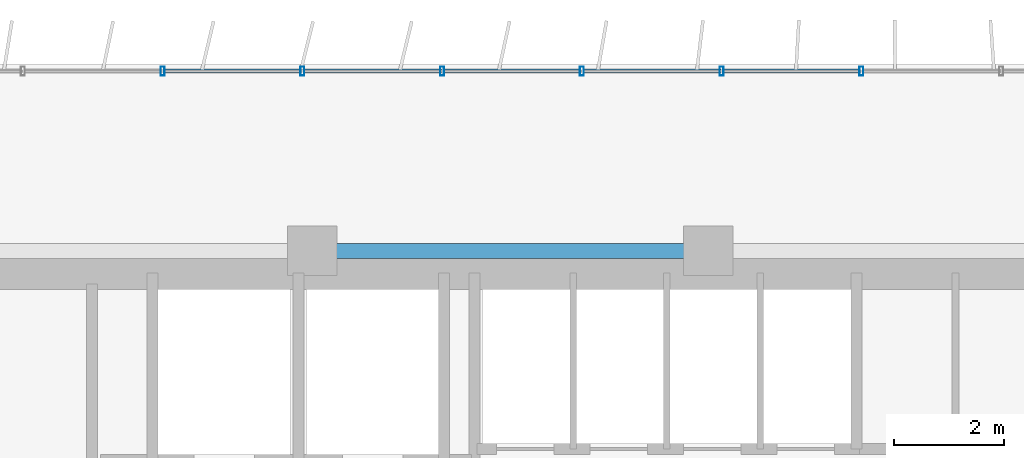
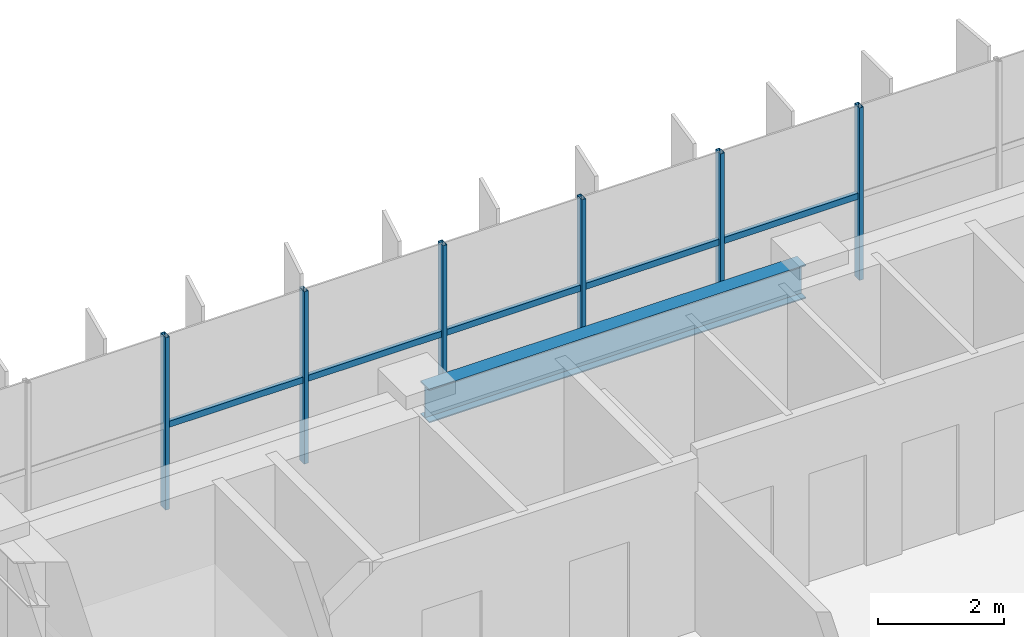
# One storey, part 7 of 24: 11 members, 1 beam, 1 element without a shape of its own.
"""IFC4 building model written with IfcOpenShell, lengths in metres."""

from ifc_helpers import new_model, si_unit, direction, frame, origin, origin_2d, place, context, subcontext, project, spatial, hollow_rectangle, i_section, extrude, source, transform, mapped, material, material_profile, profile_set, type_object, element, aggregate, save


model = new_model("IFC4")

# Units and contexts
model_context = context("Model", 3, precision=1e-05, world=origin(), true_north=direction((0.0, 1.0)))
body_context = subcontext(model_context, "Body", "Model", "MODEL_VIEW")
ifc_project = project(units=[si_unit("LENGTHUNIT", "METRE"), si_unit("AREAUNIT", "SQUARE_METRE"), si_unit("VOLUMEUNIT", "CUBIC_METRE"), si_unit("PLANEANGLEUNIT", "RADIAN"), si_unit("MASSUNIT", "GRAM", prefix="KILO")], contexts=[model_context])

# Site, building, storey
site_placement = place(None, origin())
site = spatial("IfcSite", under=ifc_project, at=site_placement, CompositionType="ELEMENT")
building_placement = place(site_placement, origin())
building = spatial("IfcBuilding", under=site, at=building_placement, Name="Trelvane Seafront Commons", CompositionType="ELEMENT")
storey_placement = place(building_placement, frame((0.0, 0.0, 30.699951171875)))
storey = spatial("IfcBuildingStorey", under=building, at=storey_placement, Name="L07", CompositionType="ELEMENT", Elevation=30.699951171875)

# Beam
ifc_material_1 = material(Name="Steel SM355 (S355)", Category="steel")
ifc_material_profile_1 = material_profile(ifc_material_1, i_section(OverallWidth=0.280029296875, OverallDepth=0.64990234375, WebThickness=0.012939453125, FlangeThickness=0.02197265625, at=origin_2d()), Name="H-650x280x13x22")
ifc_profile_set_1 = profile_set([ifc_material_profile_1], Name="Steel SM355 (S355)")
beam_type = type_object("IfcBeamType", Name="STR-BM-H650", PredefinedType="BEAM", material=ifc_profile_set_1)
shared_shape_1 = source(origin(), body_context, "Body", "SweptSolid", [
    extrude(i_section(OverallWidth=0.280029296875, OverallDepth=0.64990234375, WebThickness=0.012939453125, FlangeThickness=0.02197265625, at=origin_2d()), origin(), (0.0, 0.0, 1.0), 6.89990234375),
])
beam_placement = place(storey_placement, frame((23.550048828125, 45.10009765625, 3.01513671875), z_axis=(1.0, 0.0, 0.0), x_axis=(0.0, 1.0, 0.0)))
element("IfcBeam", 1, at=beam_placement, inside=storey, type_object=beam_type, Name="L07 Primary Girder G-31", PredefinedType="BEAM", context=body_context, shape_type="MappedRepresentation", body=[
    mapped(shared_shape_1, transform((0.0, 0.0, 0.0), x_axis=(1.0, 0.0, 0.0), y_axis=(0.0, 1.0, 0.0), z_axis=(0.0, 0.0, 1.0), scale=1.0)),
])

# Curtain wall, members
ifc_material_2 = material(Name="Anodised pale-silver aluminium", Category="aluminium")
curtain_wall_type = type_object("IfcCurtainWallType", Name="ARCH-CW2-LOWTOWER", PredefinedType="NOTDEFINED", material=ifc_material_2)
curtain_wall_placement = place(storey_placement, origin())
curtain_wall = element("IfcCurtainWall", 2, at=curtain_wall_placement, inside=storey, type_object=curtain_wall_type, Name="CW-L07-0031", PredefinedType="NOTDEFINED")
ifc_material_profile_2 = material_profile(ifc_material_2, hollow_rectangle(XDim=0.074951171875, YDim=0.159912109375, WallThickness=0.00390625, at=origin_2d()), Name="MULL-75x160x4")
ifc_profile_set_2 = profile_set([ifc_material_profile_2], Name="Anodised pale-silver aluminium")
member_type_1 = type_object("IfcMemberType", Name="ARCH-CW-MULL-160", PredefinedType="MULLION", material=ifc_profile_set_2)
shared_shape_2 = source(origin(), body_context, "Body", "SweptSolid", [
    extrude(hollow_rectangle(XDim=0.074951171875, YDim=0.159912109375, WallThickness=0.00390625, at=origin_2d()), origin(), (0.0, 0.0, 1.0), 3.340087890625),
])
member_1_placement = place(storey_placement, frame((20.682373046875, 48.3701171875, 0.0), z_axis=(0.0, 0.0, 1.0), x_axis=(1.0, 0.0, 0.0)))
member_1 = element("IfcMember", 3, at=member_1_placement, type_object=member_type_1, Name="CW-L07-0031-M02", PredefinedType="MULLION", context=body_context, shape_type="MappedRepresentation", body=[
    mapped(shared_shape_2, transform((0.0, 0.0, 0.0), x_axis=(1.0, 0.0, 0.0), y_axis=(0.0, 1.0, 0.0), z_axis=(0.0, 0.0, 1.0), scale=1.0)),
])
member_2_placement = place(storey_placement, frame((23.223388671875, 48.3701171875, 0.0), z_axis=(0.0, 0.0, 1.0), x_axis=(1.0, 0.0, 0.0)))
member_2 = element("IfcMember", 4, at=member_2_placement, type_object=member_type_1, Name="CW-L07-0031-M03", PredefinedType="MULLION", context=body_context, shape_type="MappedRepresentation", body=[
    mapped(shared_shape_2, transform((0.0, 0.0, 0.0), x_axis=(1.0, 0.0, 0.0), y_axis=(0.0, 1.0, 0.0), z_axis=(0.0, 0.0, 1.0), scale=1.0)),
])
member_3_placement = place(storey_placement, frame((25.7646484375, 48.3701171875, 0.0), z_axis=(0.0, 0.0, 1.0), x_axis=(1.0, 0.0, 0.0)))
member_3 = element("IfcMember", 5, at=member_3_placement, type_object=member_type_1, Name="CW-L07-0031-M04", PredefinedType="MULLION", context=body_context, shape_type="MappedRepresentation", body=[
    mapped(shared_shape_2, transform((0.0, 0.0, 0.0), x_axis=(1.0, 0.0, 0.0), y_axis=(0.0, 1.0, 0.0), z_axis=(0.0, 0.0, 1.0), scale=1.0)),
])
member_4_placement = place(storey_placement, frame((28.305908203125, 48.3701171875, 0.0), z_axis=(0.0, 0.0, 1.0), x_axis=(1.0, 0.0, 0.0)))
member_4 = element("IfcMember", 6, at=member_4_placement, type_object=member_type_1, Name="CW-L07-0031-M05", PredefinedType="MULLION", context=body_context, shape_type="MappedRepresentation", body=[
    mapped(shared_shape_2, transform((0.0, 0.0, 0.0), x_axis=(1.0, 0.0, 0.0), y_axis=(0.0, 1.0, 0.0), z_axis=(0.0, 0.0, 1.0), scale=1.0)),
])
member_5_placement = place(storey_placement, frame((30.84716796875, 48.3701171875, 0.0), z_axis=(0.0, 0.0, 1.0), x_axis=(1.0, 0.0, 0.0)))
member_5 = element("IfcMember", 7, at=member_5_placement, type_object=member_type_1, Name="CW-L07-0031-M06", PredefinedType="MULLION", context=body_context, shape_type="MappedRepresentation", body=[
    mapped(shared_shape_2, transform((0.0, 0.0, 0.0), x_axis=(1.0, 0.0, 0.0), y_axis=(0.0, 1.0, 0.0), z_axis=(0.0, 0.0, 1.0), scale=1.0)),
])
member_6_placement = place(storey_placement, frame((33.38818359375, 48.3701171875, 0.0), z_axis=(0.0, 0.0, 1.0), x_axis=(1.0, 0.0, 0.0)))
member_6 = element("IfcMember", 8, at=member_6_placement, type_object=member_type_1, Name="CW-L07-0031-M07", PredefinedType="MULLION", context=body_context, shape_type="MappedRepresentation", body=[
    mapped(shared_shape_2, transform((0.0, 0.0, 0.0), x_axis=(1.0, 0.0, 0.0), y_axis=(0.0, 1.0, 0.0), z_axis=(0.0, 0.0, 1.0), scale=1.0)),
])
ifc_material_profile_3 = material_profile(ifc_material_2, hollow_rectangle(XDim=0.070068359375, YDim=0.1201171875, WallThickness=0.00390625, at=origin_2d()), Name="TRAN-70x120x4")
ifc_profile_set_3 = profile_set([ifc_material_profile_3], Name="Anodised pale-silver aluminium")
member_type_2 = type_object("IfcMemberType", Name="ARCH-CW-TRAN-120", PredefinedType="USERDEFINED", material=ifc_profile_set_3)
shared_shape_3 = source(origin(), body_context, "Body", "SweptSolid", [
    extrude(hollow_rectangle(XDim=0.070068359375, YDim=0.1201171875, WallThickness=0.00390625, at=origin_2d()), origin(), (0.0, 0.0, 1.0), 2.51708984375),
])
member_7_placement = place(storey_placement, frame((20.6943359375, 48.3701171875, 1.60302734375), z_axis=(1.0, 0.0, 0.0), x_axis=(0.0, 1.0, 0.0)))
member_7 = element("IfcMember", 9, at=member_7_placement, type_object=member_type_2, Name="CW-L07-0031-T02", ObjectType="TRANSOM", PredefinedType="USERDEFINED", context=body_context, shape_type="MappedRepresentation", body=[
    mapped(shared_shape_3, transform((0.0, 0.0, 0.0), x_axis=(1.0, 0.0, 0.0), y_axis=(0.0, 1.0, 0.0), z_axis=(0.0, 0.0, 1.0), scale=1.0)),
])
member_8_placement = place(storey_placement, frame((23.235595703125, 48.3701171875, 1.60302734375), z_axis=(1.0, 0.0, 0.0), x_axis=(0.0, 1.0, 0.0)))
member_8 = element("IfcMember", 10, at=member_8_placement, type_object=member_type_2, Name="CW-L07-0031-T03", ObjectType="TRANSOM", PredefinedType="USERDEFINED", context=body_context, shape_type="MappedRepresentation", body=[
    mapped(shared_shape_3, transform((0.0, 0.0, 0.0), x_axis=(1.0, 0.0, 0.0), y_axis=(0.0, 1.0, 0.0), z_axis=(0.0, 0.0, 1.0), scale=1.0)),
])
member_9_placement = place(storey_placement, frame((30.859130859375, 48.3701171875, 1.60302734375), z_axis=(1.0, 0.0, 0.0), x_axis=(0.0, 1.0, 0.0)))
member_9 = element("IfcMember", 11, at=member_9_placement, type_object=member_type_2, Name="CW-L07-0031-T06", ObjectType="TRANSOM", PredefinedType="USERDEFINED", context=body_context, shape_type="MappedRepresentation", body=[
    mapped(shared_shape_3, transform((0.0, 0.0, 0.0), x_axis=(1.0, 0.0, 0.0), y_axis=(0.0, 1.0, 0.0), z_axis=(0.0, 0.0, 1.0), scale=1.0)),
])
shared_shape_4 = source(origin(), body_context, "Body", "SweptSolid", [
    extrude(hollow_rectangle(XDim=0.070068359375, YDim=0.1201171875, WallThickness=0.00390625, at=origin_2d()), origin(), (0.0, 0.0, 1.0), 2.517333984375),
])
member_10_placement = place(storey_placement, frame((25.776611328125, 48.3701171875, 1.60302734375), z_axis=(1.0, 0.0, 0.0), x_axis=(0.0, 1.0, 0.0)))
member_10 = element("IfcMember", 12, at=member_10_placement, type_object=member_type_2, Name="CW-L07-0031-T04", ObjectType="TRANSOM", PredefinedType="USERDEFINED", context=body_context, shape_type="MappedRepresentation", body=[
    mapped(shared_shape_4, transform((0.0, 0.0, 0.0), x_axis=(1.0, 0.0, 0.0), y_axis=(0.0, 1.0, 0.0), z_axis=(0.0, 0.0, 1.0), scale=1.0)),
])
member_11_placement = place(storey_placement, frame((28.31787109375, 48.3701171875, 1.60302734375), z_axis=(1.0, 0.0, 0.0), x_axis=(0.0, 1.0, 0.0)))
member_11 = element("IfcMember", 13, at=member_11_placement, type_object=member_type_2, Name="CW-L07-0031-T05", ObjectType="TRANSOM", PredefinedType="USERDEFINED", context=body_context, shape_type="MappedRepresentation", body=[
    mapped(shared_shape_4, transform((0.0, 0.0, 0.0), x_axis=(1.0, 0.0, 0.0), y_axis=(0.0, 1.0, 0.0), z_axis=(0.0, 0.0, 1.0), scale=1.0)),
])
aggregate(curtain_wall, [member_1, member_2, member_3, member_4, member_5, member_6, member_7, member_8, member_10, member_11, member_9])

save(model, "model.ifc")
